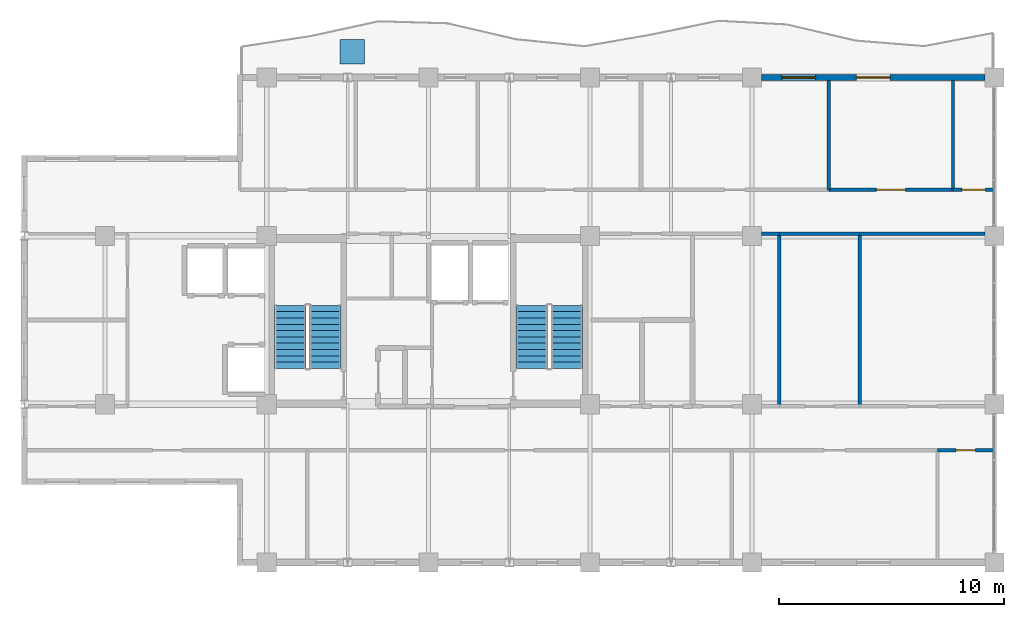
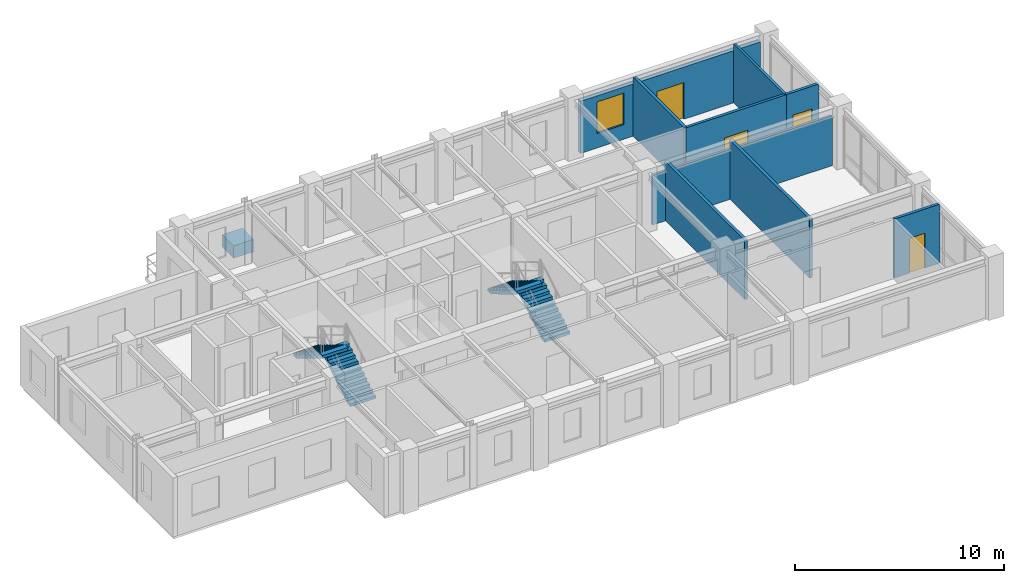
# One storey, part 9 of 10: 11 walls, 4 doors, 4 stair flights, 1 discrete accessory, 1 window, 5 openings, 2 elements without a shape of their own.
"""IFC4 building model written with IfcOpenShell, lengths in metres."""

from ifc_helpers import new_model, si_unit, direction, frame, frame_2d, origin, origin_2d, place, context, subcontext, project, spatial, polyline, rectangle, outline, extrude, source, transform, mapped, material, layer, layer_set, type_object, element, fill, aggregate, save


model = new_model("IFC4")

# Units and contexts
model_context = context("Model", 3, precision=1e-05, world=origin(), true_north=direction((0.0, 1.0)))
body_context = subcontext(model_context, "Body", "Model", "MODEL_VIEW")
ifc_project = project(units=[si_unit("LENGTHUNIT", "METRE"), si_unit("AREAUNIT", "SQUARE_METRE"), si_unit("VOLUMEUNIT", "CUBIC_METRE"), si_unit("PLANEANGLEUNIT", "RADIAN"), si_unit("MASSUNIT", "GRAM", prefix="KILO")], contexts=[model_context])

# Site, building, storey
site_placement = place(None, origin())
site = spatial("IfcSite", under=ifc_project, at=site_placement, CompositionType="ELEMENT")
building_placement = place(site_placement, origin())
building = spatial("IfcBuilding", under=site, at=building_placement, Name="Kaliganga Portal Commons", CompositionType="ELEMENT")
storey_placement = place(building_placement, frame((0.0, 0.0, 283.199951171875)))
storey = spatial("IfcBuildingStorey", under=building, at=storey_placement, Name="L73", CompositionType="ELEMENT", Elevation=283.199951171875)

# Wall, openings, door, window
ifc_material_1 = material(Name="Insulated Aluminium-Clad Spandrel Assembly", Category="aluminium")
ifc_layer_1 = layer(ifc_material_1, 0.260009765625)
ifc_layer_set_1 = layer_set([ifc_layer_1], Name="Insulated Aluminium-Clad Spandrel Assembly")
wall_type_1 = type_object("IfcWallType", Name="WL-EXT-SPAND-260", PredefinedType="STANDARD", material=ifc_layer_set_1)
wall_1_placement = place(storey_placement, frame((36.426025390625, 43.199951171875, 0.0), z_axis=(0.0, 0.0, 1.0), x_axis=(1.0, 0.0, 0.0)))
wall_1 = element("IfcWall", 1, at=wall_1_placement, inside=storey, type_object=wall_type_1, Name="Exterior Envelope Wall L73 P1-E02-S1", PredefinedType="STANDARD", context=body_context, shape_type="SweptSolid", body=[
    extrude(rectangle(XDim=9.947998046875, YDim=0.260009765625, at=frame_2d((4.97412109375, 0.0))), origin(), (0.0, 0.0, 1.0), 3.054931640625),
])
opening_1_placement = place(wall_1_placement, frame((4.22412109375, 0.0, 0.0)))
opening_1 = element("IfcOpeningElement", 2, at=opening_1_placement, cuts=wall_1, Name="Opening BD-01", PredefinedType="OPENING", context=body_context, shape_type="SweptSolid", body=[
    extrude(rectangle(XDim=1.5, YDim=2.14990234375, at=frame_2d((0.75, 1.074951171875))), frame((0.0, 0.14013671875, 0.0), z_axis=(0.0, -1.0, 0.0), x_axis=(1.0, 0.0, 0.0)), (0.0, 0.0, 1.0), 0.280029296875),
])
opening_2_placement = place(wall_1_placement, frame((0.907958984375, 0.0, 0.85009765625)))
opening_2 = element("IfcOpeningElement", 3, at=opening_2_placement, cuts=wall_1, Name="Opening W-02", PredefinedType="OPENING", context=body_context, shape_type="SweptSolid", body=[
    extrude(rectangle(XDim=1.5, YDim=1.85009765625, at=frame_2d((0.75, 0.925048828125))), frame((0.0, 0.14013671875, 0.0), z_axis=(0.0, -1.0, 0.0), x_axis=(1.0, 0.0, 0.0)), (0.0, 0.0, 1.0), 0.280029296875),
])
ifc_material_2 = material(Name="Anodized Aluminium and Laminated Safety Glass", Category="aluminium")
door_type_1 = type_object("IfcDoorType", Name="DR-BALC-1500", OperationType="SLIDING_TO_LEFT", PredefinedType="DOOR", material=ifc_material_2)
door_1_placement = place(opening_1_placement, origin())
door_1 = element("IfcDoor", 4, at=door_1_placement, inside=storey, type_object=door_type_1, Name="Balcony Sliding Door L73 balc_north", OperationType="SLIDING_TO_LEFT", OverallHeight=2.14990234375, OverallWidth=1.5, PredefinedType="DOOR", context=body_context, shape_type="SweptSolid", body=[
    extrude(rectangle(XDim=1.5, YDim=2.14990234375, at=frame_2d((0.75, 1.074951171875))), frame((0.0, 0.02490234375, 0.0), z_axis=(0.0, -1.0, 0.0), x_axis=(1.0, 0.0, 0.0)), (0.0, 0.0, 1.0), 0.050048828125),
])
fill(opening_1, door_1)
ifc_material_3 = material(Name="Thermally Broken Aluminium and Low-E Double Glazing", Category="aluminium")
window_type = type_object("IfcWindowType", Name="WIN-STD-1500", PartitioningType="DOUBLE_PANEL_VERTICAL", PredefinedType="WINDOW", material=ifc_material_3)
window_placement = place(opening_2_placement, origin())
window = element("IfcWindow", 5, at=window_placement, inside=storey, type_object=window_type, Name="Facade Window L73-P1E02S1-00", OverallHeight=1.85009765625, OverallWidth=1.5, PartitioningType="SINGLE_PANEL", PredefinedType="WINDOW", context=body_context, shape_type="SweptSolid", body=[
    extrude(rectangle(XDim=1.5, YDim=1.85009765625, at=frame_2d((0.75, 0.925048828125))), frame((0.0, 0.030029296875, 0.0), z_axis=(0.0, -1.0, 0.0), x_axis=(1.0, 0.0, 0.0)), (0.0, 0.0, 1.0), 0.06005859375),
])
fill(opening_2, window)

# Wall
ifc_material_4 = material(Name="Fire-Rated Gypsum Board on Steel Stud", Category="steel")
ifc_layer_2 = layer(ifc_material_4, 0.14990234375)
ifc_layer_set_2 = layer_set([ifc_layer_2], Name="Fire-Rated Gypsum Board on Steel Stud")
wall_type_2 = type_object("IfcWallType", Name="WL-PART-CORR-150", PredefinedType="PARTITIONING", material=ifc_layer_set_2)
wall_2_placement = place(storey_placement, frame((40.800048828125, 36.239990234375, 0.0), z_axis=(0.0, 0.0, 1.0), x_axis=(1.0, 0.0, 0.0)))
element("IfcWall", 6, at=wall_2_placement, inside=storey, type_object=wall_type_2, Name="Interior Partition L73-007", PredefinedType="PARTITIONING", context=body_context, shape_type="SweptSolid", body=[
    extrude(rectangle(XDim=5.574951171875, YDim=0.14990234375, at=frame_2d((2.78759765625, 0.0))), origin(), (0.0, 0.0, 1.0), 2.905029296875),
])

# Wall, opening, door
wall_3_placement = place(storey_placement, frame((39.419921875, 38.199951171875, 0.0), z_axis=(0.0, 0.0, 1.0), x_axis=(1.0, 0.0, 0.0)))
wall_3 = element("IfcWall", 7, at=wall_3_placement, inside=storey, type_object=wall_type_2, Name="Interior Partition L73-008", PredefinedType="PARTITIONING", context=body_context, shape_type="SweptSolid", body=[
    extrude(rectangle(XDim=5.5400390625, YDim=0.14990234375, at=frame_2d((2.77001953125, 0.0))), origin(), (0.0, 0.0, 1.0), 3.455078125),
])
opening_3_placement = place(wall_3_placement, frame((2.1201171875, 0.0, 0.0)))
opening_3 = element("IfcOpeningElement", 8, at=opening_3_placement, cuts=wall_3, Name="Opening RD-03", PredefinedType="OPENING", context=body_context, shape_type="SweptSolid", body=[
    extrude(rectangle(XDim=1.300048828125, YDim=2.1201171875, at=frame_2d((0.64990234375, 1.06005859375))), frame((0.0, 0.0849609375, 0.0), z_axis=(0.0, -1.0, 0.0), x_axis=(1.0, 0.0, 0.0)), (0.0, 0.0, 1.0), 0.169921875),
])
ifc_material_5 = material(Name="Glazed Timber Seminar Vision Door", Category="wood")
door_type_2 = type_object("IfcDoorType", Name="DR-STUDY-1300", OperationType="DOUBLE_DOOR_SINGLE_SWING", PredefinedType="DOOR", material=ifc_material_5)
door_2_placement = place(opening_3_placement, origin())
door_2 = element("IfcDoor", 9, at=door_2_placement, inside=storey, type_object=door_type_2, Name="Interior Door L73-AN05", OperationType="DOUBLE_DOOR_SINGLE_SWING", OverallHeight=2.1201171875, OverallWidth=1.300048828125, PredefinedType="DOOR", context=body_context, shape_type="SweptSolid", body=[
    extrude(rectangle(XDim=1.300048828125, YDim=2.1201171875, at=frame_2d((0.64990234375, 1.06005859375))), frame((0.0, 0.02490234375, 0.0), z_axis=(0.0, -1.0, 0.0), x_axis=(1.0, 0.0, 0.0)), (0.0, 0.0, 1.0), 0.050048828125),
])
fill(opening_3, door_2)

# Walls
wall_4_placement = place(storey_placement, frame((36.425048828125, 36.239990234375, 0.0), z_axis=(0.0, 0.0, 1.0), x_axis=(1.0, 0.0, 0.0)))
element("IfcWall", 10, at=wall_4_placement, inside=storey, type_object=wall_type_2, Name="Interior Partition L73-017", PredefinedType="PARTITIONING", context=body_context, shape_type="SweptSolid", body=[
    extrude(rectangle(XDim=0.794921875, YDim=0.14990234375, at=frame_2d((0.3974609375, 0.0))), origin(), (0.0, 0.0, 1.0), 2.905029296875),
])
wall_5_placement = place(storey_placement, frame((37.219970703125, 36.239990234375, 0.0), z_axis=(0.0, 0.0, 1.0), x_axis=(1.0, 0.0, 0.0)))
element("IfcWall", 11, at=wall_5_placement, inside=storey, type_object=wall_type_2, Name="Interior Partition L73-021", PredefinedType="PARTITIONING", context=body_context, shape_type="SweptSolid", body=[
    extrude(rectangle(XDim=3.580078125, YDim=0.14990234375, at=frame_2d((1.7900390625, 0.0))), origin(), (0.0, 0.0, 1.0), 2.905029296875),
])

# Wall, opening, door
wall_6_placement = place(storey_placement, frame((44.260009765625, 26.60009765625, 0.0), z_axis=(0.0, 0.0, 1.0), x_axis=(1.0, 0.0, 0.0)))
wall_6 = element("IfcWall", 12, at=wall_6_placement, inside=storey, type_object=wall_type_2, Name="Interior Partition L73-024", PredefinedType="PARTITIONING", context=body_context, shape_type="SweptSolid", body=[
    extrude(rectangle(XDim=2.52001953125, YDim=0.14990234375, at=frame_2d((1.260009765625, 0.0))), origin(), (0.0, 0.0, 1.0), 3.455078125),
])
opening_4_placement = place(wall_6_placement, frame((0.8349609375, 0.0, 0.0)))
opening_4 = element("IfcOpeningElement", 13, at=opening_4_placement, cuts=wall_6, Name="Opening WD-01", PredefinedType="OPENING", context=body_context, shape_type="SweptSolid", body=[
    extrude(rectangle(XDim=0.85009765625, YDim=2.0400390625, at=frame_2d((0.425048828125, 1.02001953125))), frame((0.0, 0.0849609375, 0.0), z_axis=(0.0, -1.0, 0.0), x_axis=(1.0, 0.0, 0.0)), (0.0, 0.0, 1.0), 0.169921875),
])
ifc_material_6 = material(Name="Moisture-Resistant Laminate Timber Door", Category="wood")
door_type_3 = type_object("IfcDoorType", Name="DR-WET-850", OperationType="NOTDEFINED", PredefinedType="DOOR", material=ifc_material_6)
door_3_placement = place(opening_4_placement, origin())
door_3 = element("IfcDoor", 14, at=door_3_placement, inside=storey, type_object=door_type_3, Name="Interior Door L73-AS04", OperationType="SINGLE_SWING_RIGHT", OverallHeight=2.0400390625, OverallWidth=0.85009765625, PredefinedType="DOOR", context=body_context, shape_type="SweptSolid", body=[
    extrude(rectangle(XDim=0.85009765625, YDim=2.0400390625, at=frame_2d((0.425048828125, 1.02001953125))), frame((0.0, 0.02490234375, 0.0), z_axis=(0.0, -1.0, 0.0), x_axis=(1.0, 0.0, 0.0)), (0.0, 0.0, 1.0), 0.050048828125),
])
fill(opening_4, door_3)

wall_7_placement = place(storey_placement, frame((44.9599609375, 38.199951171875, 0.0), z_axis=(0.0, 0.0, 1.0), x_axis=(1.0, 0.0, 0.0)))
wall_7 = element("IfcWall", 15, at=wall_7_placement, inside=storey, type_object=wall_type_2, Name="Interior Partition L73-029", PredefinedType="PARTITIONING", context=body_context, shape_type="SweptSolid", body=[
    extrude(rectangle(XDim=1.820068359375, YDim=0.14990234375, at=frame_2d((0.91015625, 0.0))), origin(), (0.0, 0.0, 1.0), 3.455078125),
])
opening_5_placement = place(wall_7_placement, frame((0.385009765625, 0.0, 0.0)))
opening_5 = element("IfcOpeningElement", 16, at=opening_5_placement, cuts=wall_7, Name="Opening UD-02", PredefinedType="OPENING", context=body_context, shape_type="SweptSolid", body=[
    extrude(rectangle(XDim=1.050048828125, YDim=2.1201171875, at=frame_2d((0.52490234375, 1.06005859375))), frame((0.0, 0.0849609375, 0.0), z_axis=(0.0, -1.0, 0.0), x_axis=(1.0, 0.0, 0.0)), (0.0, 0.0, 1.0), 0.169921875),
])
ifc_material_7 = material(Name="Accessible Wide-Leaf Acoustic Fire Door", Category="wood")
door_type_4 = type_object("IfcDoorType", Name="DR-ACC-1050", OperationType="NOTDEFINED", PredefinedType="DOOR", material=ifc_material_7)
door_4_placement = place(opening_5_placement, origin())
door_4 = element("IfcDoor", 17, at=door_4_placement, inside=storey, type_object=door_type_4, Name="Interior Door L73-AN06", OperationType="SINGLE_SWING_RIGHT", OverallHeight=2.1201171875, OverallWidth=1.050048828125, PredefinedType="DOOR", context=body_context, shape_type="SweptSolid", body=[
    extrude(rectangle(XDim=1.050048828125, YDim=2.1201171875, at=frame_2d((0.52490234375, 1.06005859375))), frame((0.0, 0.02490234375, 0.0), z_axis=(0.0, -1.0, 0.0), x_axis=(1.0, 0.0, 0.0)), (0.0, 0.0, 1.0), 0.050048828125),
])
fill(opening_5, door_4)

# Walls
ifc_material_8 = material(Name="Twin-Stud Acoustic Gypsum Partition", Category="gypsum")
ifc_layer_3 = layer(ifc_material_8, 0.1650390625)
ifc_layer_set_3 = layer_set([ifc_layer_3], Name="Twin-Stud Acoustic Gypsum Partition")
wall_type_3 = type_object("IfcWallType", Name="WL-PART-UNIT-165", PredefinedType="PARTITIONING", material=ifc_layer_set_3)
for number, where, z_axis, x_axis, name in (
    (18, (37.219970703125, 28.56005859375, 0.0), (0.0, 0.0, 1.0), (0.0, 1.0, 0.0), "Interior Partition L73-036"),
    (19, (40.800048828125, 28.56005859375, 0.0), (0.0, 0.0, 1.0), (0.0, 1.0, 0.0), "Interior Partition L73-037"),
):
    element("IfcWall", number, at=place(storey_placement, frame(where, z_axis=z_axis, x_axis=x_axis)), inside=storey, type_object=wall_type_3, Name=name, PredefinedType="PARTITIONING", context=body_context, shape_type="SweptSolid", body=[
        extrude(rectangle(XDim=7.679931640625, YDim=0.1650390625, at=frame_2d((3.83984375, 0.0))), origin(), (0.0, 0.0, 1.0), 3.455078125),
    ])
wall_8_placement = place(storey_placement, frame((39.419921875, 38.199951171875, 0.0), z_axis=(0.0, 0.0, 1.0), x_axis=(0.0, 1.0, 0.0)))
element("IfcWall", 20, at=wall_8_placement, inside=storey, type_object=wall_type_3, Name="Interior Partition L73-044", PredefinedType="PARTITIONING", context=body_context, shape_type="SweptSolid", body=[
    extrude(rectangle(XDim=4.8681640625, YDim=0.1650390625, at=frame_2d((2.43408203125, 0.0))), origin(), (0.0, 0.0, 1.0), 3.455078125),
])
ifc_material_9 = material(Name="Cement-Board Wet-Room Partition", Category="gypsum")
ifc_layer_4 = layer(ifc_material_9, 0.135009765625)
ifc_layer_set_4 = layer_set([ifc_layer_4], Name="Cement-Board Wet-Room Partition")
wall_type_4 = type_object("IfcWallType", Name="WL-PART-WET-135", PredefinedType="PARTITIONING", material=ifc_layer_set_4)
wall_9_placement = place(storey_placement, frame((44.9599609375, 38.199951171875, 0.0), z_axis=(0.0, 0.0, 1.0), x_axis=(0.0, 1.0, 0.0)))
element("IfcWall", 21, at=wall_9_placement, inside=storey, type_object=wall_type_4, Name="Interior Partition L73-046", PredefinedType="PARTITIONING", context=body_context, shape_type="SweptSolid", body=[
    extrude(rectangle(XDim=4.8681640625, YDim=0.135009765625, at=frame_2d((2.43408203125, 0.0))), origin(), (0.0, 0.0, 1.0), 3.455078125),
])

# Stair, stair flights
ifc_material_10 = material(Name="Concrete C40/50", Category="concrete")
stair_type = type_object("IfcStairType", Name="ST-CORE-DOGLEG", PredefinedType="HALF_TURN_STAIR", material=ifc_material_10)
stair_1_placement = place(storey_placement, origin())
stair_1 = element("IfcStair", 22, at=stair_1_placement, inside=storey, type_object=stair_type, Name="L73 Protected Exit Stair ST-A1", PredefinedType="HALF_TURN_STAIR")
stair_flight_type = type_object("IfcStairFlightType", Name="STF-RC-1400", PredefinedType="STRAIGHT", material=ifc_material_10)
stair_flight_1_placement = place(storey_placement, frame((17.0, 30.25, 0.0), z_axis=(0.0, 0.0, 1.0), x_axis=(0.0, 1.0, 0.0)))
stair_flight_1 = element("IfcStairFlight", 23, at=stair_flight_1_placement, type_object=stair_flight_type, Name="ST-A1 flight 1", NumberOfRisers=11, NumberOfTreads=10, PredefinedType="STRAIGHT", RiserHeight=0.168181818, TreadLength=0.28, context=body_context, shape_type="SweptSolid", body=[
    extrude(outline(polyline([(0.0, 0.0), (0.0, 0.168212890625), (0.280029296875, 0.168212890625), (0.280029296875, 0.33642578125), (0.56005859375, 0.33642578125), (0.56005859375, 0.504638671875), (0.840087890625, 0.504638671875), (0.840087890625, 0.672607421875), (1.1201171875, 0.672607421875), (1.1201171875, 0.8408203125), (1.39990234375, 0.8408203125), (1.39990234375, 1.009033203125), (1.679931640625, 1.009033203125), (1.679931640625, 1.17724609375), (1.9599609375, 1.17724609375), (1.9599609375, 1.345458984375), (2.239990234375, 1.345458984375), (2.239990234375, 1.513671875), (2.52001953125, 1.513671875), (2.52001953125, 1.681884765625), (2.800048828125, 1.681884765625), (2.800048828125, 1.85009765625), (2.800048828125, 1.5068359375), (0.291015625, 0.0), (0.0, 0.0)])), frame((0.0, 0.699951171875, 0.0), z_axis=(0.0, -1.0, 0.0), x_axis=(1.0, 0.0, 0.0)), (0.0, 0.0, 1.0), 1.39990234375),
])
stair_flight_2_placement = place(storey_placement, frame((15.449951171875, 33.050048828125, 1.85009765625), z_axis=(0.0, 0.0, 1.0), x_axis=(0.0, -1.0, 0.0)))
stair_flight_2 = element("IfcStairFlight", 24, at=stair_flight_2_placement, type_object=stair_flight_type, Name="ST-A1 flight 2", NumberOfRisers=11, NumberOfTreads=10, PredefinedType="STRAIGHT", RiserHeight=0.168181818, TreadLength=0.28, context=body_context, shape_type="SweptSolid", body=[
    extrude(outline(polyline([(0.0, 0.0), (0.0, 0.168212890625), (0.280029296875, 0.168212890625), (0.280029296875, 0.33642578125), (0.56005859375, 0.33642578125), (0.56005859375, 0.504638671875), (0.840087890625, 0.504638671875), (0.840087890625, 0.672607421875), (1.1201171875, 0.672607421875), (1.1201171875, 0.8408203125), (1.39990234375, 0.8408203125), (1.39990234375, 1.009033203125), (1.679931640625, 1.009033203125), (1.679931640625, 1.17724609375), (1.9599609375, 1.17724609375), (1.9599609375, 1.345458984375), (2.239990234375, 1.345458984375), (2.239990234375, 1.513671875), (2.52001953125, 1.513671875), (2.52001953125, 1.681884765625), (2.800048828125, 1.681884765625), (2.800048828125, 1.85009765625), (2.800048828125, 1.5068359375), (0.291015625, 0.0), (0.0, 0.0)])), frame((0.0, 0.699951171875, 0.0), z_axis=(0.0, -1.0, 0.0), x_axis=(1.0, 0.0, 0.0)), (0.0, 0.0, 1.0), 1.39990234375),
])
aggregate(stair_1, [stair_flight_1, stair_flight_2])

stair_2_placement = place(storey_placement, origin())
stair_2 = element("IfcStair", 25, at=stair_2_placement, inside=storey, type_object=stair_type, Name="L73 Protected Exit Stair ST-A2", PredefinedType="HALF_TURN_STAIR")
stair_flight_3_placement = place(storey_placement, frame((27.75, 30.25, 0.0), z_axis=(0.0, 0.0, 1.0), x_axis=(0.0, 1.0, 0.0)))
stair_flight_3 = element("IfcStairFlight", 26, at=stair_flight_3_placement, type_object=stair_flight_type, Name="ST-A2 flight 1", NumberOfRisers=11, NumberOfTreads=10, PredefinedType="STRAIGHT", RiserHeight=0.168181818, TreadLength=0.28, context=body_context, shape_type="SweptSolid", body=[
    extrude(outline(polyline([(0.0, 0.0), (0.0, 0.168212890625), (0.280029296875, 0.168212890625), (0.280029296875, 0.33642578125), (0.56005859375, 0.33642578125), (0.56005859375, 0.504638671875), (0.840087890625, 0.504638671875), (0.840087890625, 0.672607421875), (1.1201171875, 0.672607421875), (1.1201171875, 0.8408203125), (1.39990234375, 0.8408203125), (1.39990234375, 1.009033203125), (1.679931640625, 1.009033203125), (1.679931640625, 1.17724609375), (1.9599609375, 1.17724609375), (1.9599609375, 1.345458984375), (2.239990234375, 1.345458984375), (2.239990234375, 1.513671875), (2.52001953125, 1.513671875), (2.52001953125, 1.681884765625), (2.800048828125, 1.681884765625), (2.800048828125, 1.85009765625), (2.800048828125, 1.5068359375), (0.291015625, 0.0), (0.0, 0.0)])), frame((0.0, 0.699951171875, 0.0), z_axis=(0.0, -1.0, 0.0), x_axis=(1.0, 0.0, 0.0)), (0.0, 0.0, 1.0), 1.39990234375),
])
stair_flight_4_placement = place(storey_placement, frame((26.199951171875, 33.050048828125, 1.85009765625), z_axis=(0.0, 0.0, 1.0), x_axis=(0.0, -1.0, 0.0)))
stair_flight_4 = element("IfcStairFlight", 27, at=stair_flight_4_placement, type_object=stair_flight_type, Name="ST-A2 flight 2", NumberOfRisers=11, NumberOfTreads=10, PredefinedType="STRAIGHT", RiserHeight=0.168181818, TreadLength=0.28, context=body_context, shape_type="SweptSolid", body=[
    extrude(outline(polyline([(0.0, 0.0), (0.0, 0.168212890625), (0.280029296875, 0.168212890625), (0.280029296875, 0.33642578125), (0.56005859375, 0.33642578125), (0.56005859375, 0.504638671875), (0.840087890625, 0.504638671875), (0.840087890625, 0.672607421875), (1.1201171875, 0.672607421875), (1.1201171875, 0.8408203125), (1.39990234375, 0.8408203125), (1.39990234375, 1.009033203125), (1.679931640625, 1.009033203125), (1.679931640625, 1.17724609375), (1.9599609375, 1.17724609375), (1.9599609375, 1.345458984375), (2.239990234375, 1.345458984375), (2.239990234375, 1.513671875), (2.52001953125, 1.513671875), (2.52001953125, 1.681884765625), (2.800048828125, 1.681884765625), (2.800048828125, 1.85009765625), (2.800048828125, 1.5068359375), (0.291015625, 0.0), (0.0, 0.0)])), frame((0.0, 0.699951171875, 0.0), z_axis=(0.0, -1.0, 0.0), x_axis=(1.0, 0.0, 0.0)), (0.0, 0.0, 1.0), 1.39990234375),
])
aggregate(stair_2, [stair_flight_3, stair_flight_4])

# Discrete accessory
ifc_material_11 = material(Name="Precast concrete C40/50", Category="concrete")
discrete_accessory_type = type_object("IfcDiscreteAccessoryType", Name="DAC-PLANTER-RC", PredefinedType="USERDEFINED", material=ifc_material_11)
shared_shape = source(origin(), body_context, "Body", "SweptSolid", [
    extrude(rectangle(XDim=1.10009765625, YDim=1.10009765625, at=origin_2d()), origin(), (0.0, 0.0, 1.0), 0.719970703125),
])
discrete_accessory_placement = place(storey_placement, frame((18.199951171875, 44.35009765625, 0.0), z_axis=(0.0, 0.0, 1.0), x_axis=(1.0, 0.0, 0.0)))
element("IfcDiscreteAccessory", 28, at=discrete_accessory_placement, inside=storey, type_object=discrete_accessory_type, Name="Structural Tree Planter L73 balc_north", ObjectType="PLANTER", PredefinedType="USERDEFINED", context=body_context, shape_type="MappedRepresentation", body=[
    mapped(shared_shape, transform((0.0, 0.0, 0.0), x_axis=(1.0, 0.0, 0.0), y_axis=(0.0, 1.0, 0.0), z_axis=(0.0, 0.0, 1.0), scale=1.0)),
])

save(model, "model.ifc")
